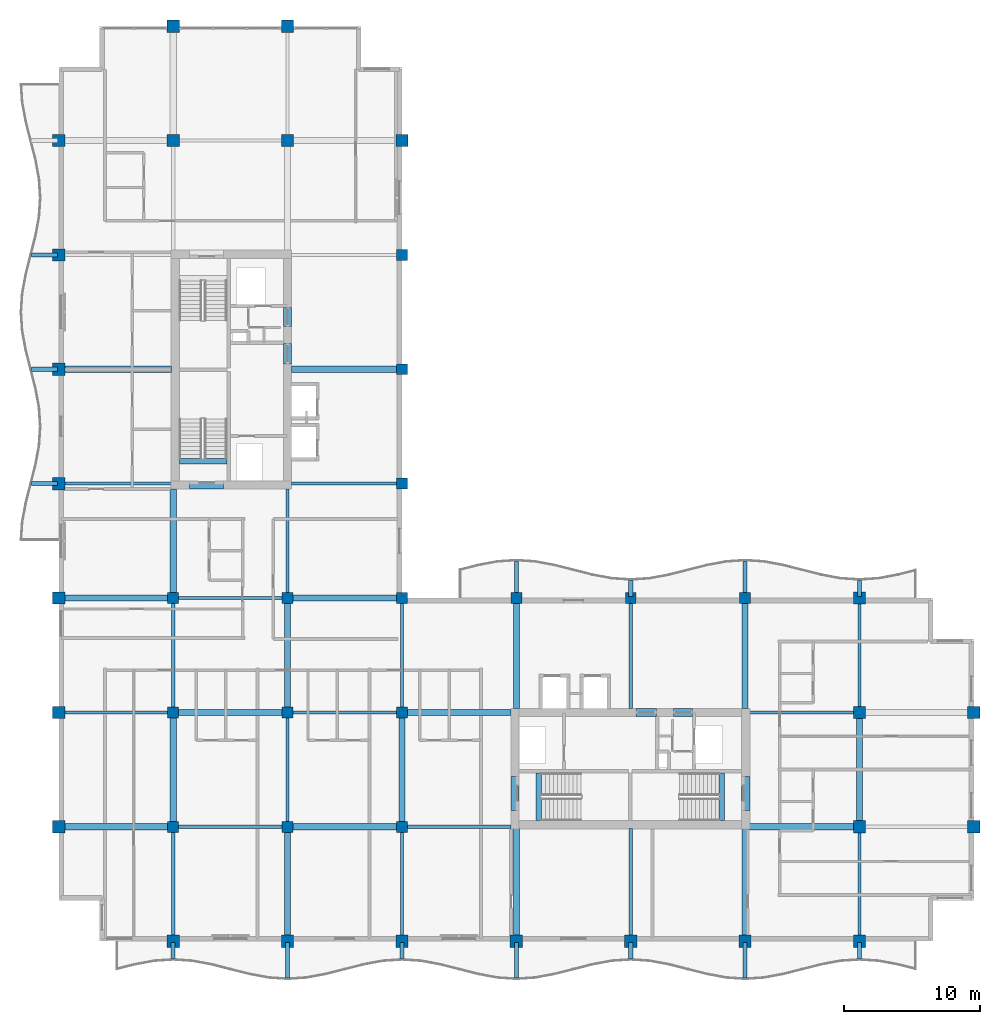
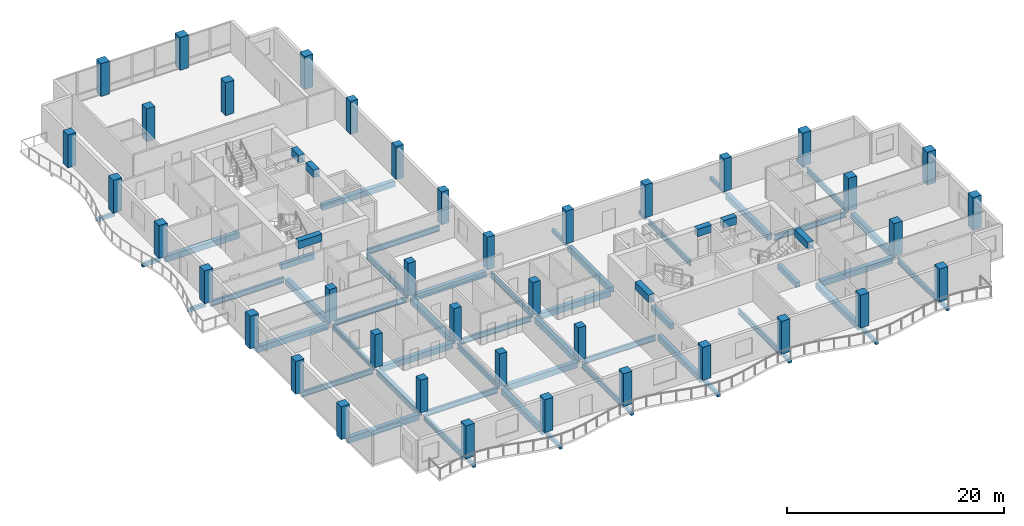
# One storey, part 1 of 16: 61 beams, 39 columns.
"""IFC4 building model written with IfcOpenShell, lengths in metres."""

from ifc_helpers import new_model, si_unit, direction, frame, origin, origin_2d, place, context, subcontext, project, spatial, rectangle, i_section, extrude, material, material_profile, profile_set, type_object, element, save


model = new_model("IFC4")

# Units and contexts
model_context = context("Model", 3, precision=1e-05, world=origin(), true_north=direction((0.0, 1.0)))
body_context = subcontext(model_context, "Body", "Model", "MODEL_VIEW")
ifc_project = project(units=[si_unit("LENGTHUNIT", "METRE"), si_unit("AREAUNIT", "SQUARE_METRE"), si_unit("VOLUMEUNIT", "CUBIC_METRE"), si_unit("PLANEANGLEUNIT", "RADIAN"), si_unit("MASSUNIT", "GRAM", prefix="KILO")], contexts=[model_context])

# Site, building, storey
site_placement = place(None, origin())
site = spatial("IfcSite", under=ifc_project, at=site_placement, CompositionType="ELEMENT")
building_placement = place(site_placement, origin())
building = spatial("IfcBuilding", under=site, at=building_placement, Name="Koriwani Terraces Tower", CompositionType="ELEMENT")
storey_placement = place(building_placement, frame((0.0, 0.0, 252.699951171875)))
storey = spatial("IfcBuildingStorey", under=building, at=storey_placement, Name="L62", CompositionType="ELEMENT", Elevation=252.699951171875)

# Columns
ifc_material_1 = material(Name="Concrete C50/60", Category="concrete")
ifc_material_profile_1 = material_profile(ifc_material_1, rectangle(XDim=0.800048828125, YDim=0.800048828125, at=origin_2d()), Name="Concrete C50/60", Category="LoadBearing")
ifc_profile_set_1 = profile_set([ifc_material_profile_1], Name="Concrete C50/60")
column_type_1 = type_object("IfcColumnType", Name="COL_RC_800X800", PredefinedType="COLUMN", material=ifc_profile_set_1)
for number, where, z_axis, x_axis, name in (
    (1, (16.800048828125, 16.800048828125, 0.0), (0.0, 0.0, 1.0), (1.0, 0.0, 0.0), "L62 Column 3/C"),
    (2, (16.800048828125, 25.199951171875, 0.0), (0.0, 0.0, 1.0), (1.0, 0.0, 0.0), "L62 Column 3/D"),
    (3, (16.800048828125, 33.60009765625, 0.0), (0.0, 0.0, 1.0), (1.0, 0.0, 0.0), "L62 Column 3/E"),
    (4, (25.199951171875, 16.800048828125, 0.0), (0.0, 0.0, 1.0), (1.0, 0.0, 0.0), "L62 Column 4/C"),
    (5, (25.199951171875, 25.199951171875, 0.0), (0.0, 0.0, 1.0), (1.0, 0.0, 0.0), "L62 Column 4/D"),
    (6, (25.199951171875, 33.60009765625, 0.0), (0.0, 0.0, 1.0), (1.0, 0.0, 0.0), "L62 Column 4/E"),
    (7, (33.60009765625, 16.800048828125, 0.0), (0.0, 0.0, 1.0), (1.0, 0.0, 0.0), "L62 Column 5/C"),
    (8, (33.60009765625, 25.199951171875, 0.0), (0.0, 0.0, 1.0), (1.0, 0.0, 0.0), "L62 Column 5/D"),
    (9, (33.60009765625, 33.60009765625, 0.0), (0.0, 0.0, 1.0), (1.0, 0.0, 0.0), "L62 Column 5/E"),
    (10, (33.60009765625, 42.0, 0.0), (0.0, 0.0, 1.0), (1.0, 0.0, 0.0), "L62 Column 5/F"),
    (11, (33.60009765625, 50.39990234375, 0.0), (0.0, 0.0, 1.0), (1.0, 0.0, 0.0), "L62 Column 5/G"),
    (12, (33.60009765625, 58.800048828125, 0.0), (0.0, 0.0, 1.0), (1.0, 0.0, 0.0), "L62 Column 5/H"),
    (13, (42.0, 33.60009765625, 0.0), (0.0, 0.0, 1.0), (1.0, 0.0, 0.0), "L62 Column 6/E"),
    (14, (50.39990234375, 33.60009765625, 0.0), (0.0, 0.0, 1.0), (1.0, 0.0, 0.0), "L62 Column 7/E"),
    (15, (58.800048828125, 33.60009765625, 0.0), (0.0, 0.0, 1.0), (1.0, 0.0, 0.0), "L62 Column 8/E"),
):
    element("IfcColumn", number, at=place(storey_placement, frame(where, z_axis=z_axis, x_axis=x_axis)), inside=storey, type_object=column_type_1, Name=name, PredefinedType="COLUMN", context=body_context, shape_type="SweptSolid", body=[
        extrude(rectangle(XDim=0.800048828125, YDim=0.800048828125, at=origin_2d()), origin(), (0.0, 0.0, 1.0), 3.699951171875),
    ])
ifc_material_profile_2 = material_profile(ifc_material_1, rectangle(XDim=0.89990234375, YDim=0.89990234375, at=origin_2d()), Name="Concrete C50/60", Category="LoadBearing")
ifc_profile_set_2 = profile_set([ifc_material_profile_2], Name="Concrete C50/60")
column_type_2 = type_object("IfcColumnType", Name="COL_RC_900X900", PredefinedType="COLUMN", material=ifc_profile_set_2)
for number, where, z_axis, x_axis, name in (
    (16, (8.39990234375, 16.800048828125, 0.0), (0.0, 0.0, 1.0), (1.0, 0.0, 0.0), "L62 Column 2/C"),
    (17, (8.39990234375, 25.199951171875, 0.0), (0.0, 0.0, 1.0), (1.0, 0.0, 0.0), "L62 Column 2/D"),
    (18, (8.39990234375, 33.60009765625, 0.0), (0.0, 0.0, 1.0), (1.0, 0.0, 0.0), "L62 Column 2/E"),
    (19, (8.39990234375, 42.0, 0.0), (0.0, 0.0, 1.0), (1.0, 0.0, 0.0), "L62 Column 2/F"),
    (20, (8.39990234375, 50.39990234375, 0.0), (0.0, 0.0, 1.0), (1.0, 0.0, 0.0), "L62 Column 2/G"),
    (21, (8.39990234375, 58.800048828125, 0.0), (0.0, 0.0, 1.0), (1.0, 0.0, 0.0), "L62 Column 2/H"),
    (22, (8.39990234375, 67.199951171875, 0.0), (0.0, 0.0, 1.0), (1.0, 0.0, 0.0), "L62 Column 2/I"),
    (23, (16.800048828125, 8.39990234375, 0.0), (0.0, 0.0, 1.0), (1.0, 0.0, 0.0), "L62 Column 3/B"),
    (24, (16.800048828125, 67.199951171875, 0.0), (0.0, 0.0, 1.0), (1.0, 0.0, 0.0), "L62 Column 3/I"),
    (25, (16.800048828125, 75.60009765625, 0.0), (0.0, 0.0, 1.0), (1.0, 0.0, 0.0), "L62 Column 3/J"),
    (26, (25.199951171875, 8.39990234375, 0.0), (0.0, 0.0, 1.0), (1.0, 0.0, 0.0), "L62 Column 4/B"),
    (27, (25.199951171875, 67.199951171875, 0.0), (0.0, 0.0, 1.0), (1.0, 0.0, 0.0), "L62 Column 4/I"),
    (28, (25.199951171875, 75.60009765625, 0.0), (0.0, 0.0, 1.0), (1.0, 0.0, 0.0), "L62 Column 4/J"),
    (29, (33.60009765625, 8.39990234375, 0.0), (0.0, 0.0, 1.0), (1.0, 0.0, 0.0), "L62 Column 5/B"),
    (30, (33.60009765625, 67.199951171875, 0.0), (0.0, 0.0, 1.0), (1.0, 0.0, 0.0), "L62 Column 5/I"),
    (31, (42.0, 8.39990234375, 0.0), (0.0, 0.0, 1.0), (1.0, 0.0, 0.0), "L62 Column 6/B"),
    (32, (50.39990234375, 8.39990234375, 0.0), (0.0, 0.0, 1.0), (1.0, 0.0, 0.0), "L62 Column 7/B"),
    (33, (58.800048828125, 8.39990234375, 0.0), (0.0, 0.0, 1.0), (1.0, 0.0, 0.0), "L62 Column 8/B"),
    (34, (67.199951171875, 8.39990234375, 0.0), (0.0, 0.0, 1.0), (1.0, 0.0, 0.0), "L62 Column 9/B"),
    (35, (67.199951171875, 16.800048828125, 0.0), (0.0, 0.0, 1.0), (1.0, 0.0, 0.0), "L62 Column 9/C"),
    (36, (67.199951171875, 25.199951171875, 0.0), (0.0, 0.0, 1.0), (1.0, 0.0, 0.0), "L62 Column 9/D"),
    (37, (67.199951171875, 33.60009765625, 0.0), (0.0, 0.0, 1.0), (1.0, 0.0, 0.0), "L62 Column 9/E"),
    (38, (75.60009765625, 16.800048828125, 0.0), (0.0, 0.0, 1.0), (1.0, 0.0, 0.0), "L62 Column 10/C"),
    (39, (75.60009765625, 25.199951171875, 0.0), (0.0, 0.0, 1.0), (1.0, 0.0, 0.0), "L62 Column 10/D"),
):
    element("IfcColumn", number, at=place(storey_placement, frame(where, z_axis=z_axis, x_axis=x_axis)), inside=storey, type_object=column_type_2, Name=name, PredefinedType="COLUMN", context=body_context, shape_type="SweptSolid", body=[
        extrude(rectangle(XDim=0.89990234375, YDim=0.89990234375, at=origin_2d()), origin(), (0.0, 0.0, 1.0), 3.699951171875),
    ])

# Beams
ifc_material_2 = material(Name="Concrete C40/50", Category="concrete")
ifc_material_profile_3 = material_profile(ifc_material_2, rectangle(XDim=0.300048828125, YDim=0.39990234375, at=origin_2d()), Name="Concrete C40/50", Category="LoadBearing")
ifc_profile_set_3 = profile_set([ifc_material_profile_3], Name="Concrete C40/50")
beam_type_1 = type_object("IfcBeamType", Name="BEAM_RC_BALCONY_RIB_300X400", PredefinedType="JOIST", material=ifc_profile_set_3)
beam_1_placement = place(storey_placement, frame((16.800048828125, 7.1201171875, -0.429931640625), z_axis=(0.0, 1.0, 0.0), x_axis=(-1.0, 0.0, 0.0)))
element("IfcBeam", 40, at=beam_1_placement, inside=storey, type_object=beam_type_1, Name="L62 Balcony Bracket Rib S-1", PredefinedType="JOIST", context=body_context, shape_type="SweptSolid", body=[
    extrude(rectangle(XDim=0.300048828125, YDim=0.39990234375, at=origin_2d()), origin(), (0.0, 0.0, 1.0), 1.179931640625),
])
beam_2_placement = place(storey_placement, frame((25.199951171875, 5.699951171875, -0.429931640625), z_axis=(0.0, 1.0, 0.0), x_axis=(-1.0, 0.0, 0.0)))
element("IfcBeam", 41, at=beam_2_placement, inside=storey, type_object=beam_type_1, Name="L62 Balcony Bracket Rib S-2", PredefinedType="JOIST", context=body_context, shape_type="SweptSolid", body=[
    extrude(rectangle(XDim=0.300048828125, YDim=0.39990234375, at=origin_2d()), origin(), (0.0, 0.0, 1.0), 2.60009765625),
])
beam_3_placement = place(storey_placement, frame((33.60009765625, 7.1201171875, -0.429931640625), z_axis=(0.0, 1.0, 0.0), x_axis=(-1.0, 0.0, 0.0)))
element("IfcBeam", 42, at=beam_3_placement, inside=storey, type_object=beam_type_1, Name="L62 Balcony Bracket Rib S-3", PredefinedType="JOIST", context=body_context, shape_type="SweptSolid", body=[
    extrude(rectangle(XDim=0.300048828125, YDim=0.39990234375, at=origin_2d()), origin(), (0.0, 0.0, 1.0), 1.179931640625),
])
beam_4_placement = place(storey_placement, frame((42.0, 5.699951171875, -0.429931640625), z_axis=(0.0, 1.0, 0.0), x_axis=(-1.0, 0.0, 0.0)))
element("IfcBeam", 43, at=beam_4_placement, inside=storey, type_object=beam_type_1, Name="L62 Balcony Bracket Rib S-4", PredefinedType="JOIST", context=body_context, shape_type="SweptSolid", body=[
    extrude(rectangle(XDim=0.300048828125, YDim=0.39990234375, at=origin_2d()), origin(), (0.0, 0.0, 1.0), 2.60009765625),
])
beam_5_placement = place(storey_placement, frame((50.39990234375, 7.1201171875, -0.429931640625), z_axis=(0.0, 1.0, 0.0), x_axis=(-1.0, 0.0, 0.0)))
element("IfcBeam", 44, at=beam_5_placement, inside=storey, type_object=beam_type_1, Name="L62 Balcony Bracket Rib S-5", PredefinedType="JOIST", context=body_context, shape_type="SweptSolid", body=[
    extrude(rectangle(XDim=0.300048828125, YDim=0.39990234375, at=origin_2d()), origin(), (0.0, 0.0, 1.0), 1.179931640625),
])
beam_6_placement = place(storey_placement, frame((58.800048828125, 5.699951171875, -0.429931640625), z_axis=(0.0, 1.0, 0.0), x_axis=(-1.0, 0.0, 0.0)))
element("IfcBeam", 45, at=beam_6_placement, inside=storey, type_object=beam_type_1, Name="L62 Balcony Bracket Rib S-6", PredefinedType="JOIST", context=body_context, shape_type="SweptSolid", body=[
    extrude(rectangle(XDim=0.300048828125, YDim=0.39990234375, at=origin_2d()), origin(), (0.0, 0.0, 1.0), 2.60009765625),
])
beam_7_placement = place(storey_placement, frame((67.199951171875, 7.1201171875, -0.429931640625), z_axis=(0.0, 1.0, 0.0), x_axis=(-1.0, 0.0, 0.0)))
element("IfcBeam", 46, at=beam_7_placement, inside=storey, type_object=beam_type_1, Name="L62 Balcony Bracket Rib S-7", PredefinedType="JOIST", context=body_context, shape_type="SweptSolid", body=[
    extrude(rectangle(XDim=0.300048828125, YDim=0.39990234375, at=origin_2d()), origin(), (0.0, 0.0, 1.0), 1.179931640625),
])
for number, where, z_axis, x_axis, name in (
    (47, (6.409912109375, 42.0, -0.429931640625), (1.0, 0.0, 0.0), (0.0, 1.0, 0.0), "L62 Balcony Bracket Rib W-1"),
    (48, (6.409912109375, 50.39990234375, -0.429931640625), (1.0, 0.0, 0.0), (0.0, 1.0, 0.0), "L62 Balcony Bracket Rib W-2"),
    (49, (6.409912109375, 58.800048828125, -0.429931640625), (1.0, 0.0, 0.0), (0.0, 1.0, 0.0), "L62 Balcony Bracket Rib W-3"),
):
    element("IfcBeam", number, at=place(storey_placement, frame(where, z_axis=z_axis, x_axis=x_axis)), inside=storey, type_object=beam_type_1, Name=name, PredefinedType="JOIST", context=body_context, shape_type="SweptSolid", body=[
        extrude(rectangle(XDim=0.300048828125, YDim=0.39990234375, at=origin_2d()), origin(), (0.0, 0.0, 1.0), 1.89013671875),
    ])
beam_8_placement = place(storey_placement, frame((42.0, 33.699951171875, -0.429931640625), z_axis=(0.0, 1.0, 0.0), x_axis=(-1.0, 0.0, 0.0)))
element("IfcBeam", 50, at=beam_8_placement, inside=storey, type_object=beam_type_1, Name="L62 Balcony Bracket Rib NE-1", PredefinedType="JOIST", context=body_context, shape_type="SweptSolid", body=[
    extrude(rectangle(XDim=0.300048828125, YDim=0.39990234375, at=origin_2d()), origin(), (0.0, 0.0, 1.0), 2.60009765625),
])
beam_9_placement = place(storey_placement, frame((50.39990234375, 33.699951171875, -0.429931640625), z_axis=(0.0, 1.0, 0.0), x_axis=(-1.0, 0.0, 0.0)))
element("IfcBeam", 51, at=beam_9_placement, inside=storey, type_object=beam_type_1, Name="L62 Balcony Bracket Rib NE-2", PredefinedType="JOIST", context=body_context, shape_type="SweptSolid", body=[
    extrude(rectangle(XDim=0.300048828125, YDim=0.39990234375, at=origin_2d()), origin(), (0.0, 0.0, 1.0), 1.179931640625),
])
beam_10_placement = place(storey_placement, frame((58.800048828125, 33.699951171875, -0.429931640625), z_axis=(0.0, 1.0, 0.0), x_axis=(-1.0, 0.0, 0.0)))
element("IfcBeam", 52, at=beam_10_placement, inside=storey, type_object=beam_type_1, Name="L62 Balcony Bracket Rib NE-3", PredefinedType="JOIST", context=body_context, shape_type="SweptSolid", body=[
    extrude(rectangle(XDim=0.300048828125, YDim=0.39990234375, at=origin_2d()), origin(), (0.0, 0.0, 1.0), 2.60009765625),
])
beam_11_placement = place(storey_placement, frame((67.199951171875, 33.699951171875, -0.429931640625), z_axis=(0.0, 1.0, 0.0), x_axis=(-1.0, 0.0, 0.0)))
element("IfcBeam", 53, at=beam_11_placement, inside=storey, type_object=beam_type_1, Name="L62 Balcony Bracket Rib NE-4", PredefinedType="JOIST", context=body_context, shape_type="SweptSolid", body=[
    extrude(rectangle(XDim=0.300048828125, YDim=0.39990234375, at=origin_2d()), origin(), (0.0, 0.0, 1.0), 1.179931640625),
])
ifc_material_profile_4 = material_profile(ifc_material_1, rectangle(XDim=0.60009765625, YDim=0.85009765625, at=origin_2d()), Name="Concrete C50/60", Category="LoadBearing")
ifc_profile_set_4 = profile_set([ifc_material_profile_4], Name="Concrete C50/60")
beam_type_2 = type_object("IfcBeamType", Name="BEAM_RC_COUPLING_600X850", PredefinedType="LINTEL", material=ifc_profile_set_4)
beam_12_placement = place(storey_placement, frame((25.199951171875, 50.800048828125, 3.045166015625), z_axis=(0.0, 1.0, 0.0), x_axis=(-1.0, 0.0, 0.0)))
element("IfcBeam", 54, at=beam_12_placement, inside=storey, type_object=beam_type_2, Name="L62 Core Coupling Lintel Beam WE1", PredefinedType="LINTEL", context=body_context, shape_type="SweptSolid", body=[
    extrude(rectangle(XDim=0.60009765625, YDim=0.85009765625, at=origin_2d()), origin(), (0.0, 0.0, 1.0), 1.47998046875),
])
beam_13_placement = place(storey_placement, frame((25.199951171875, 53.550048828125, 3.045166015625), z_axis=(0.0, 1.0, 0.0), x_axis=(-1.0, 0.0, 0.0)))
element("IfcBeam", 55, at=beam_13_placement, inside=storey, type_object=beam_type_2, Name="L62 Core Coupling Lintel Beam WE2", PredefinedType="LINTEL", context=body_context, shape_type="SweptSolid", body=[
    extrude(rectangle(XDim=0.60009765625, YDim=0.85009765625, at=origin_2d()), origin(), (0.0, 0.0, 1.0), 1.39990234375),
])
beam_14_placement = place(storey_placement, frame((18.0, 41.89990234375, 3.045166015625), z_axis=(1.0, 0.0, 0.0), x_axis=(0.0, 1.0, 0.0)))
element("IfcBeam", 56, at=beam_14_placement, inside=storey, type_object=beam_type_2, Name="L62 Core Coupling Lintel Beam WS", PredefinedType="LINTEL", context=body_context, shape_type="SweptSolid", body=[
    extrude(rectangle(XDim=0.60009765625, YDim=0.85009765625, at=origin_2d()), origin(), (0.0, 0.0, 1.0), 2.5),
])
beam_15_placement = place(storey_placement, frame((50.800048828125, 25.199951171875, 3.045166015625), z_axis=(1.0, 0.0, 0.0), x_axis=(0.0, 1.0, 0.0)))
element("IfcBeam", 57, at=beam_15_placement, inside=storey, type_object=beam_type_2, Name="L62 Core Coupling Lintel Beam EN1", PredefinedType="LINTEL", context=body_context, shape_type="SweptSolid", body=[
    extrude(rectangle(XDim=0.60009765625, YDim=0.85009765625, at=origin_2d()), origin(), (0.0, 0.0, 1.0), 1.47998046875),
])
beam_16_placement = place(storey_placement, frame((53.550048828125, 25.199951171875, 3.045166015625), z_axis=(1.0, 0.0, 0.0), x_axis=(0.0, 1.0, 0.0)))
element("IfcBeam", 58, at=beam_16_placement, inside=storey, type_object=beam_type_2, Name="L62 Core Coupling Lintel Beam EN2", PredefinedType="LINTEL", context=body_context, shape_type="SweptSolid", body=[
    extrude(rectangle(XDim=0.60009765625, YDim=0.85009765625, at=origin_2d()), origin(), (0.0, 0.0, 1.0), 1.39990234375),
])
for number, where, z_axis, x_axis, name in (
    (59, (41.89990234375, 18.0, 3.045166015625), (0.0, 1.0, 0.0), (-1.0, 0.0, 0.0), "L62 Core Coupling Lintel Beam EW"),
    (60, (58.85009765625, 18.0, 3.045166015625), (0.0, 1.0, 0.0), (-1.0, 0.0, 0.0), "L62 Core Coupling Lintel Beam EE"),
):
    element("IfcBeam", number, at=place(storey_placement, frame(where, z_axis=z_axis, x_axis=x_axis)), inside=storey, type_object=beam_type_2, Name=name, PredefinedType="LINTEL", context=body_context, shape_type="SweptSolid", body=[
        extrude(rectangle(XDim=0.60009765625, YDim=0.85009765625, at=origin_2d()), origin(), (0.0, 0.0, 1.0), 2.5),
    ])
ifc_material_profile_5 = material_profile(ifc_material_2, rectangle(XDim=0.39990234375, YDim=0.60009765625, at=origin_2d()), Name="Concrete C40/50", Category="LoadBearing")
ifc_profile_set_5 = profile_set([ifc_material_profile_5], Name="Concrete C40/50")
beam_type_3 = type_object("IfcBeamType", Name="BEAM_RC_GRID_400X600", PredefinedType="BEAM", material=ifc_profile_set_5)
for number, where, z_axis, x_axis, name in (
    (61, (17.25, 43.655029296875, -0.300048828125), (1.0, 0.0, 0.0), (0.0, 1.0, 0.0), "L62 Stairwell Header Trimmer Beam ST-W1"),
    (62, (43.655029296875, 17.25, -0.300048828125), (0.0, 1.0, 0.0), (-1.0, 0.0, 0.0), "L62 Stairwell Header Trimmer Beam ST-E1"),
    (63, (57.094970703125, 17.25, -0.300048828125), (0.0, 1.0, 0.0), (-1.0, 0.0, 0.0), "L62 Stairwell Header Trimmer Beam ST-E2"),
):
    element("IfcBeam", number, at=place(storey_placement, frame(where, z_axis=z_axis, x_axis=x_axis)), inside=storey, type_object=beam_type_3, Name=name, PredefinedType="BEAM", context=body_context, shape_type="SweptSolid", body=[
        extrude(rectangle(XDim=0.39990234375, YDim=0.60009765625, at=origin_2d()), origin(), (0.0, 0.0, 1.0), 3.5),
    ])
ifc_material_profile_6 = material_profile(ifc_material_1, rectangle(XDim=0.449951171875, YDim=0.64990234375, at=origin_2d()), Name="Concrete C50/60", Category="LoadBearing")
ifc_profile_set_6 = profile_set([ifc_material_profile_6], Name="Concrete C50/60")
beam_type_4 = type_object("IfcBeamType", Name="BEAM_RC_GRID_450X650", PredefinedType="BEAM", material=ifc_profile_set_6)
beam_17_placement = place(storey_placement, frame((8.830078125, 16.800048828125, -0.554931640625), z_axis=(1.0, 0.0, 0.0), x_axis=(0.0, 1.0, 0.0)))
element("IfcBeam", 64, at=beam_17_placement, inside=storey, type_object=beam_type_4, Name="L62 Grid Beam C (8.4-16.8m)", PredefinedType="BEAM", context=body_context, shape_type="SweptSolid", body=[
    extrude(rectangle(XDim=0.449951171875, YDim=0.64990234375, at=origin_2d()), origin(), (0.0, 0.0, 1.0), 7.58984375),
])
beam_18_placement = place(storey_placement, frame((25.580078125, 16.800048828125, -0.554931640625), z_axis=(1.0, 0.0, 0.0), x_axis=(0.0, 1.0, 0.0)))
element("IfcBeam", 65, at=beam_18_placement, inside=storey, type_object=beam_type_4, Name="L62 Grid Beam C (25.2-33.6m)", PredefinedType="BEAM", context=body_context, shape_type="SweptSolid", body=[
    extrude(rectangle(XDim=0.449951171875, YDim=0.64990234375, at=origin_2d()), origin(), (0.0, 0.0, 1.0), 7.639892578125),
])
for number, where, z_axis, x_axis, name in (
    (66, (59.1298828125, 16.800048828125, -0.554931640625), (1.0, 0.0, 0.0), (0.0, 1.0, 0.0), "L62 Grid Beam C (58.8-67.2m)"),
    (67, (17.179931640625, 25.199951171875, -0.554931640625), (1.0, 0.0, 0.0), (0.0, 1.0, 0.0), "L62 Grid Beam D (16.8-25.2m)"),
    (68, (33.97998046875, 25.199951171875, -0.554931640625), (1.0, 0.0, 0.0), (0.0, 1.0, 0.0), "L62 Grid Beam D (33.6-42.0m)"),
):
    element("IfcBeam", number, at=place(storey_placement, frame(where, z_axis=z_axis, x_axis=x_axis)), inside=storey, type_object=beam_type_4, Name=name, PredefinedType="BEAM", context=body_context, shape_type="SweptSolid", body=[
        extrude(rectangle(XDim=0.449951171875, YDim=0.64990234375, at=origin_2d()), origin(), (0.0, 0.0, 1.0), 7.64013671875),
    ])
beam_19_placement = place(storey_placement, frame((8.830078125, 33.60009765625, -0.554931640625), z_axis=(1.0, 0.0, 0.0), x_axis=(0.0, 1.0, 0.0)))
element("IfcBeam", 69, at=beam_19_placement, inside=storey, type_object=beam_type_4, Name="L62 Grid Beam E (8.4-16.8m)", PredefinedType="BEAM", context=body_context, shape_type="SweptSolid", body=[
    extrude(rectangle(XDim=0.449951171875, YDim=0.64990234375, at=origin_2d()), origin(), (0.0, 0.0, 1.0), 7.58984375),
])
beam_20_placement = place(storey_placement, frame((25.580078125, 33.60009765625, -0.554931640625), z_axis=(1.0, 0.0, 0.0), x_axis=(0.0, 1.0, 0.0)))
element("IfcBeam", 70, at=beam_20_placement, inside=storey, type_object=beam_type_4, Name="L62 Grid Beam E (25.2-33.6m)", PredefinedType="BEAM", context=body_context, shape_type="SweptSolid", body=[
    extrude(rectangle(XDim=0.449951171875, YDim=0.64990234375, at=origin_2d()), origin(), (0.0, 0.0, 1.0), 7.639892578125),
])
beam_21_placement = place(storey_placement, frame((8.830078125, 50.39990234375, -0.554931640625), z_axis=(1.0, 0.0, 0.0), x_axis=(0.0, 1.0, 0.0)))
element("IfcBeam", 71, at=beam_21_placement, inside=storey, type_object=beam_type_4, Name="L62 Grid Beam G (8.4-16.8m)", PredefinedType="BEAM", context=body_context, shape_type="SweptSolid", body=[
    extrude(rectangle(XDim=0.449951171875, YDim=0.64990234375, at=origin_2d()), origin(), (0.0, 0.0, 1.0), 7.83984375),
])
beam_22_placement = place(storey_placement, frame((25.47998046875, 50.39990234375, -0.554931640625), z_axis=(1.0, 0.0, 0.0), x_axis=(0.0, 1.0, 0.0)))
element("IfcBeam", 72, at=beam_22_placement, inside=storey, type_object=beam_type_4, Name="L62 Grid Beam G (25.2-33.6m)", PredefinedType="BEAM", context=body_context, shape_type="SweptSolid", body=[
    extrude(rectangle(XDim=0.449951171875, YDim=0.64990234375, at=origin_2d()), origin(), (0.0, 0.0, 1.0), 7.739990234375),
])
for number, where, z_axis, x_axis, name in (
    (73, (16.800048828125, 17.179931640625, -0.554931640625), (0.0, 1.0, 0.0), (-1.0, 0.0, 0.0), "L62 Grid Beam 3 (16.8-25.2m)"),
    (74, (16.800048828125, 33.97998046875, -0.554931640625), (0.0, 1.0, 0.0), (-1.0, 0.0, 0.0), "L62 Grid Beam 3 (33.6-42.0m)"),
):
    element("IfcBeam", number, at=place(storey_placement, frame(where, z_axis=z_axis, x_axis=x_axis)), inside=storey, type_object=beam_type_4, Name=name, PredefinedType="BEAM", context=body_context, shape_type="SweptSolid", body=[
        extrude(rectangle(XDim=0.449951171875, YDim=0.64990234375, at=origin_2d()), origin(), (0.0, 0.0, 1.0), 7.64013671875),
    ])
beam_23_placement = place(storey_placement, frame((25.199951171875, 8.830078125, -0.554931640625), z_axis=(0.0, 1.0, 0.0), x_axis=(-1.0, 0.0, 0.0)))
element("IfcBeam", 75, at=beam_23_placement, inside=storey, type_object=beam_type_4, Name="L62 Grid Beam 4 (8.4-16.8m)", PredefinedType="BEAM", context=body_context, shape_type="SweptSolid", body=[
    extrude(rectangle(XDim=0.449951171875, YDim=0.64990234375, at=origin_2d()), origin(), (0.0, 0.0, 1.0), 7.58984375),
])
beam_24_placement = place(storey_placement, frame((25.199951171875, 25.580078125, -0.554931640625), z_axis=(0.0, 1.0, 0.0), x_axis=(-1.0, 0.0, 0.0)))
element("IfcBeam", 76, at=beam_24_placement, inside=storey, type_object=beam_type_4, Name="L62 Grid Beam 4 (25.2-33.6m)", PredefinedType="BEAM", context=body_context, shape_type="SweptSolid", body=[
    extrude(rectangle(XDim=0.449951171875, YDim=0.64990234375, at=origin_2d()), origin(), (0.0, 0.0, 1.0), 7.639892578125),
])
beam_25_placement = place(storey_placement, frame((33.60009765625, 17.179931640625, -0.554931640625), z_axis=(0.0, 1.0, 0.0), x_axis=(-1.0, 0.0, 0.0)))
element("IfcBeam", 77, at=beam_25_placement, inside=storey, type_object=beam_type_4, Name="L62 Grid Beam 5 (16.8-25.2m)", PredefinedType="BEAM", context=body_context, shape_type="SweptSolid", body=[
    extrude(rectangle(XDim=0.449951171875, YDim=0.64990234375, at=origin_2d()), origin(), (0.0, 0.0, 1.0), 7.64013671875),
])
beam_26_placement = place(storey_placement, frame((42.0, 8.830078125, -0.554931640625), z_axis=(0.0, 1.0, 0.0), x_axis=(-1.0, 0.0, 0.0)))
element("IfcBeam", 78, at=beam_26_placement, inside=storey, type_object=beam_type_4, Name="L62 Grid Beam 6 (8.4-16.8m)", PredefinedType="BEAM", context=body_context, shape_type="SweptSolid", body=[
    extrude(rectangle(XDim=0.449951171875, YDim=0.64990234375, at=origin_2d()), origin(), (0.0, 0.0, 1.0), 7.83984375),
])
beam_27_placement = place(storey_placement, frame((42.0, 25.47998046875, -0.554931640625), z_axis=(0.0, 1.0, 0.0), x_axis=(-1.0, 0.0, 0.0)))
element("IfcBeam", 79, at=beam_27_placement, inside=storey, type_object=beam_type_4, Name="L62 Grid Beam 6 (25.2-33.6m)", PredefinedType="BEAM", context=body_context, shape_type="SweptSolid", body=[
    extrude(rectangle(XDim=0.449951171875, YDim=0.64990234375, at=origin_2d()), origin(), (0.0, 0.0, 1.0), 7.739990234375),
])
beam_28_placement = place(storey_placement, frame((58.800048828125, 8.830078125, -0.554931640625), z_axis=(0.0, 1.0, 0.0), x_axis=(-1.0, 0.0, 0.0)))
element("IfcBeam", 80, at=beam_28_placement, inside=storey, type_object=beam_type_4, Name="L62 Grid Beam 8 (8.4-16.8m)", PredefinedType="BEAM", context=body_context, shape_type="SweptSolid", body=[
    extrude(rectangle(XDim=0.449951171875, YDim=0.64990234375, at=origin_2d()), origin(), (0.0, 0.0, 1.0), 7.83984375),
])
beam_29_placement = place(storey_placement, frame((58.800048828125, 25.47998046875, -0.554931640625), z_axis=(0.0, 1.0, 0.0), x_axis=(-1.0, 0.0, 0.0)))
element("IfcBeam", 81, at=beam_29_placement, inside=storey, type_object=beam_type_4, Name="L62 Grid Beam 8 (25.2-33.6m)", PredefinedType="BEAM", context=body_context, shape_type="SweptSolid", body=[
    extrude(rectangle(XDim=0.449951171875, YDim=0.64990234375, at=origin_2d()), origin(), (0.0, 0.0, 1.0), 7.739990234375),
])
beam_30_placement = place(storey_placement, frame((67.199951171875, 17.22998046875, -0.554931640625), z_axis=(0.0, 1.0, 0.0), x_axis=(-1.0, 0.0, 0.0)))
element("IfcBeam", 82, at=beam_30_placement, inside=storey, type_object=beam_type_4, Name="L62 Grid Beam 9 (16.8-25.2m)", PredefinedType="BEAM", context=body_context, shape_type="SweptSolid", body=[
    extrude(rectangle(XDim=0.449951171875, YDim=0.64990234375, at=origin_2d()), origin(), (0.0, 0.0, 1.0), 7.5400390625),
])
ifc_material_3 = material(Name="Steel ASTM A572 Grade 50", Category="steel")
ifc_material_profile_7 = material_profile(ifc_material_3, i_section(OverallWidth=0.23095703125, OverallDepth=0.616943359375, WebThickness=0.015380859375, FlangeThickness=0.0244140625, at=origin_2d()), Name="Steel ASTM A572 Grade 50", Category="LoadBearing")
ifc_profile_set_7 = profile_set([ifc_material_profile_7], Name="Steel ASTM A572 Grade 50")
beam_type_5 = type_object("IfcBeamType", Name="STEEL_BEAM_W610X195", PredefinedType="BEAM", material=ifc_profile_set_7)
for number, where, z_axis, x_axis, name in (
    (83, (17.179931640625, 16.800048828125, -0.538330078125), (1.0, 0.0, 0.0), (0.0, 1.0, 0.0), "L62 Grid Beam C (16.8-25.2m)"),
    (84, (33.97998046875, 16.800048828125, -0.538330078125), (1.0, 0.0, 0.0), (0.0, 1.0, 0.0), "L62 Grid Beam C (33.6-42.0m)"),
):
    element("IfcBeam", number, at=place(storey_placement, frame(where, z_axis=z_axis, x_axis=x_axis)), inside=storey, type_object=beam_type_5, Name=name, PredefinedType="BEAM", context=body_context, shape_type="SweptSolid", body=[
        extrude(i_section(OverallWidth=0.23095703125, OverallDepth=0.616943359375, WebThickness=0.015380859375, FlangeThickness=0.0244140625, at=origin_2d()), origin(), (0.0, 0.0, 1.0), 7.64013671875),
    ])
beam_31_placement = place(storey_placement, frame((8.830078125, 25.199951171875, -0.538330078125), z_axis=(1.0, 0.0, 0.0), x_axis=(0.0, 1.0, 0.0)))
element("IfcBeam", 85, at=beam_31_placement, inside=storey, type_object=beam_type_5, Name="L62 Grid Beam D (8.4-16.8m)", PredefinedType="BEAM", context=body_context, shape_type="SweptSolid", body=[
    extrude(i_section(OverallWidth=0.23095703125, OverallDepth=0.616943359375, WebThickness=0.015380859375, FlangeThickness=0.0244140625, at=origin_2d()), origin(), (0.0, 0.0, 1.0), 7.58984375),
])
beam_32_placement = place(storey_placement, frame((25.580078125, 25.199951171875, -0.538330078125), z_axis=(1.0, 0.0, 0.0), x_axis=(0.0, 1.0, 0.0)))
element("IfcBeam", 86, at=beam_32_placement, inside=storey, type_object=beam_type_5, Name="L62 Grid Beam D (25.2-33.6m)", PredefinedType="BEAM", context=body_context, shape_type="SweptSolid", body=[
    extrude(i_section(OverallWidth=0.23095703125, OverallDepth=0.616943359375, WebThickness=0.015380859375, FlangeThickness=0.0244140625, at=origin_2d()), origin(), (0.0, 0.0, 1.0), 7.639892578125),
])
for number, where, z_axis, x_axis, name in (
    (87, (59.1298828125, 25.199951171875, -0.538330078125), (1.0, 0.0, 0.0), (0.0, 1.0, 0.0), "L62 Grid Beam D (58.8-67.2m)"),
    (88, (17.179931640625, 33.60009765625, -0.538330078125), (1.0, 0.0, 0.0), (0.0, 1.0, 0.0), "L62 Grid Beam E (16.8-25.2m)"),
):
    element("IfcBeam", number, at=place(storey_placement, frame(where, z_axis=z_axis, x_axis=x_axis)), inside=storey, type_object=beam_type_5, Name=name, PredefinedType="BEAM", context=body_context, shape_type="SweptSolid", body=[
        extrude(i_section(OverallWidth=0.23095703125, OverallDepth=0.616943359375, WebThickness=0.015380859375, FlangeThickness=0.0244140625, at=origin_2d()), origin(), (0.0, 0.0, 1.0), 7.64013671875),
    ])
beam_33_placement = place(storey_placement, frame((8.830078125, 42.0, -0.538330078125), z_axis=(1.0, 0.0, 0.0), x_axis=(0.0, 1.0, 0.0)))
element("IfcBeam", 89, at=beam_33_placement, inside=storey, type_object=beam_type_5, Name="L62 Grid Beam F (8.4-16.8m)", PredefinedType="BEAM", context=body_context, shape_type="SweptSolid", body=[
    extrude(i_section(OverallWidth=0.23095703125, OverallDepth=0.616943359375, WebThickness=0.015380859375, FlangeThickness=0.0244140625, at=origin_2d()), origin(), (0.0, 0.0, 1.0), 7.83984375),
])
beam_34_placement = place(storey_placement, frame((25.47998046875, 42.0, -0.538330078125), z_axis=(1.0, 0.0, 0.0), x_axis=(0.0, 1.0, 0.0)))
element("IfcBeam", 90, at=beam_34_placement, inside=storey, type_object=beam_type_5, Name="L62 Grid Beam F (25.2-33.6m)", PredefinedType="BEAM", context=body_context, shape_type="SweptSolid", body=[
    extrude(i_section(OverallWidth=0.23095703125, OverallDepth=0.616943359375, WebThickness=0.015380859375, FlangeThickness=0.0244140625, at=origin_2d()), origin(), (0.0, 0.0, 1.0), 7.739990234375),
])
beam_35_placement = place(storey_placement, frame((16.800048828125, 8.830078125, -0.538330078125), z_axis=(0.0, 1.0, 0.0), x_axis=(-1.0, 0.0, 0.0)))
element("IfcBeam", 91, at=beam_35_placement, inside=storey, type_object=beam_type_5, Name="L62 Grid Beam 3 (8.4-16.8m)", PredefinedType="BEAM", context=body_context, shape_type="SweptSolid", body=[
    extrude(i_section(OverallWidth=0.23095703125, OverallDepth=0.616943359375, WebThickness=0.015380859375, FlangeThickness=0.0244140625, at=origin_2d()), origin(), (0.0, 0.0, 1.0), 7.58984375),
])
beam_36_placement = place(storey_placement, frame((16.800048828125, 25.580078125, -0.538330078125), z_axis=(0.0, 1.0, 0.0), x_axis=(-1.0, 0.0, 0.0)))
element("IfcBeam", 92, at=beam_36_placement, inside=storey, type_object=beam_type_5, Name="L62 Grid Beam 3 (25.2-33.6m)", PredefinedType="BEAM", context=body_context, shape_type="SweptSolid", body=[
    extrude(i_section(OverallWidth=0.23095703125, OverallDepth=0.616943359375, WebThickness=0.015380859375, FlangeThickness=0.0244140625, at=origin_2d()), origin(), (0.0, 0.0, 1.0), 7.639892578125),
])
for number, where, z_axis, x_axis, name in (
    (93, (25.199951171875, 17.179931640625, -0.538330078125), (0.0, 1.0, 0.0), (-1.0, 0.0, 0.0), "L62 Grid Beam 4 (16.8-25.2m)"),
    (94, (25.199951171875, 33.97998046875, -0.538330078125), (0.0, 1.0, 0.0), (-1.0, 0.0, 0.0), "L62 Grid Beam 4 (33.6-42.0m)"),
):
    element("IfcBeam", number, at=place(storey_placement, frame(where, z_axis=z_axis, x_axis=x_axis)), inside=storey, type_object=beam_type_5, Name=name, PredefinedType="BEAM", context=body_context, shape_type="SweptSolid", body=[
        extrude(i_section(OverallWidth=0.23095703125, OverallDepth=0.616943359375, WebThickness=0.015380859375, FlangeThickness=0.0244140625, at=origin_2d()), origin(), (0.0, 0.0, 1.0), 7.64013671875),
    ])
beam_37_placement = place(storey_placement, frame((33.60009765625, 8.830078125, -0.538330078125), z_axis=(0.0, 1.0, 0.0), x_axis=(-1.0, 0.0, 0.0)))
element("IfcBeam", 95, at=beam_37_placement, inside=storey, type_object=beam_type_5, Name="L62 Grid Beam 5 (8.4-16.8m)", PredefinedType="BEAM", context=body_context, shape_type="SweptSolid", body=[
    extrude(i_section(OverallWidth=0.23095703125, OverallDepth=0.616943359375, WebThickness=0.015380859375, FlangeThickness=0.0244140625, at=origin_2d()), origin(), (0.0, 0.0, 1.0), 7.58984375),
])
beam_38_placement = place(storey_placement, frame((33.60009765625, 25.580078125, -0.538330078125), z_axis=(0.0, 1.0, 0.0), x_axis=(-1.0, 0.0, 0.0)))
element("IfcBeam", 96, at=beam_38_placement, inside=storey, type_object=beam_type_5, Name="L62 Grid Beam 5 (25.2-33.6m)", PredefinedType="BEAM", context=body_context, shape_type="SweptSolid", body=[
    extrude(i_section(OverallWidth=0.23095703125, OverallDepth=0.616943359375, WebThickness=0.015380859375, FlangeThickness=0.0244140625, at=origin_2d()), origin(), (0.0, 0.0, 1.0), 7.639892578125),
])
beam_39_placement = place(storey_placement, frame((50.39990234375, 8.830078125, -0.538330078125), z_axis=(0.0, 1.0, 0.0), x_axis=(-1.0, 0.0, 0.0)))
element("IfcBeam", 97, at=beam_39_placement, inside=storey, type_object=beam_type_5, Name="L62 Grid Beam 7 (8.4-16.8m)", PredefinedType="BEAM", context=body_context, shape_type="SweptSolid", body=[
    extrude(i_section(OverallWidth=0.23095703125, OverallDepth=0.616943359375, WebThickness=0.015380859375, FlangeThickness=0.0244140625, at=origin_2d()), origin(), (0.0, 0.0, 1.0), 7.83984375),
])
beam_40_placement = place(storey_placement, frame((50.39990234375, 25.47998046875, -0.538330078125), z_axis=(0.0, 1.0, 0.0), x_axis=(-1.0, 0.0, 0.0)))
element("IfcBeam", 98, at=beam_40_placement, inside=storey, type_object=beam_type_5, Name="L62 Grid Beam 7 (25.2-33.6m)", PredefinedType="BEAM", context=body_context, shape_type="SweptSolid", body=[
    extrude(i_section(OverallWidth=0.23095703125, OverallDepth=0.616943359375, WebThickness=0.015380859375, FlangeThickness=0.0244140625, at=origin_2d()), origin(), (0.0, 0.0, 1.0), 7.739990234375),
])
for number, where, z_axis, x_axis, name in (
    (99, (67.199951171875, 8.830078125, -0.538330078125), (0.0, 1.0, 0.0), (-1.0, 0.0, 0.0), "L62 Grid Beam 9 (8.4-16.8m)"),
    (100, (67.199951171875, 25.6298828125, -0.538330078125), (0.0, 1.0, 0.0), (-1.0, 0.0, 0.0), "L62 Grid Beam 9 (25.2-33.6m)"),
):
    element("IfcBeam", number, at=place(storey_placement, frame(where, z_axis=z_axis, x_axis=x_axis)), inside=storey, type_object=beam_type_5, Name=name, PredefinedType="BEAM", context=body_context, shape_type="SweptSolid", body=[
        extrude(i_section(OverallWidth=0.23095703125, OverallDepth=0.616943359375, WebThickness=0.015380859375, FlangeThickness=0.0244140625, at=origin_2d()), origin(), (0.0, 0.0, 1.0), 7.5400390625),
    ])

save(model, "model.ifc")
